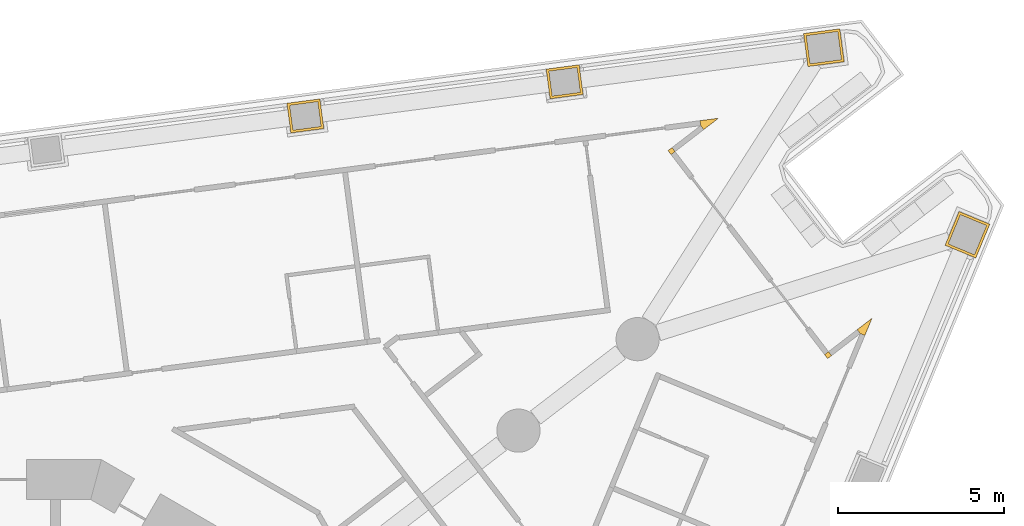
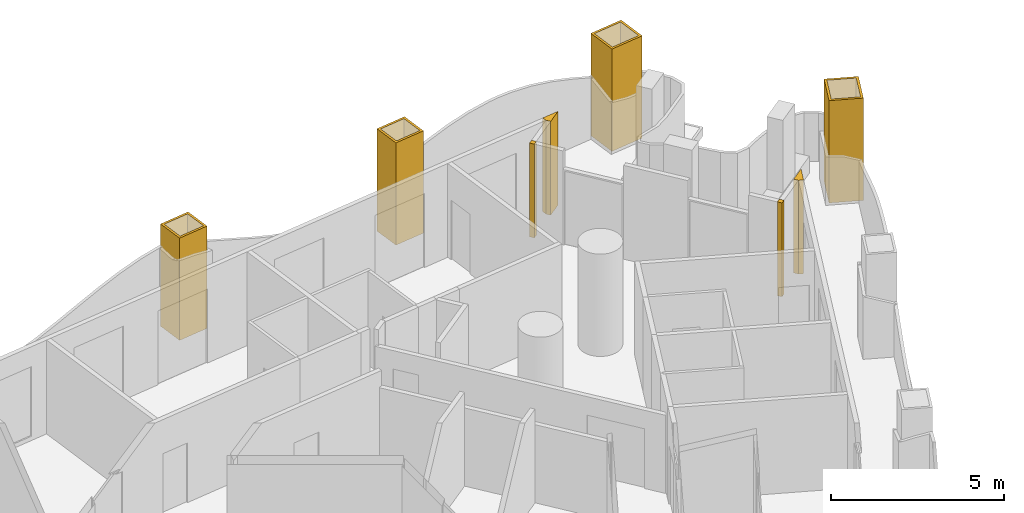
# One storey, part 18 of 19: 8 coverings.
"""IFC4 building model written with IfcOpenShell, lengths in metres."""

import ifcopenshell
import ifcopenshell.guid

model = None  # the IFC model being written
_history = None  # IfcOwnerHistory: only IFC2X3 demands one
_inside = {}  # id of a spatial element -> (the spatial element, [elements in it])
_under = {}  # id of a project, library or spatial element -> (it, [spatial elements below it])
_declared = {}  # id of a project -> (the project, [libraries it declares])
_typed = {}  # id of a type object -> (the type object, [elements of that type])
_made_of = {}  # id of a material, layer set ... -> (it, [elements and type objects made of it])


def new_model(schema):
    """Start an empty IFC model of exactly this schema.

    Asked for "IFC4X3", IfcOpenShell would pick the latest addendum, in which some entities
    have other attributes; the version numbers below select the first issue.
    IFC2X3 requires an IfcOwnerHistory on every rooted entity: one is made here for all.
    """
    global model, _history
    if schema == "IFC4X3":
        model = ifcopenshell.file(schema_version=(4, 3, 0, 0))
    else:
        model = ifcopenshell.file(schema=schema)
    _inside.clear()
    _under.clear()
    _declared.clear()
    _typed.clear()
    _made_of.clear()
    _history = None
    if model.schema == "IFC2X3":
        org = make("IfcOrganization", Name="unknown")
        user = make(
            "IfcPersonAndOrganization",
            ThePerson=make("IfcPerson", FamilyName="unknown"),
            TheOrganization=org,
        )
        app = make(
            "IfcApplication",
            ApplicationDeveloper=org,
            Version="unknown",
            ApplicationFullName="unknown",
            ApplicationIdentifier="unknown",
        )
        _history = make(
            "IfcOwnerHistory",
            OwningUser=user,
            OwningApplication=app,
            ChangeAction="ADDED",
            CreationDate=0,
        )
    return model


def make(cls, **values):
    """One entity of the class cls with the attributes given. An attribute that is None is left unset."""
    return model.create_entity(
        cls, **{name: value for name, value in values.items() if value is not None}
    )


def rooted(cls, **values):
    """An entity with a GlobalId (a new one), such as an element, a storey or a relation."""
    return make(cls, GlobalId=ifcopenshell.guid.new(), OwnerHistory=_history, **values)


def si_unit(unit_type, name, prefix=None):
    """IfcSIUnit, for example si_unit("LENGTHUNIT", "METRE", prefix="MILLI")."""
    return make("IfcSIUnit", UnitType=unit_type, Prefix=prefix, Name=name)


def assignment(units):
    """IfcUnitAssignment: the units of a project."""
    return None if units is None else make("IfcUnitAssignment", Units=units)


def point(xyz):
    """IfcCartesianPoint."""
    return None if xyz is None else make("IfcCartesianPoint", Coordinates=xyz)


def direction(xyz):
    """IfcDirection."""
    return None if xyz is None else make("IfcDirection", DirectionRatios=xyz)


def frame(location, z_axis=None, x_axis=None):
    """IfcAxis2Placement3D, a coordinate frame: its origin and axes. An axis left out is left unset."""
    return make(
        "IfcAxis2Placement3D",
        Location=point(location),
        Axis=direction(z_axis),
        RefDirection=direction(x_axis),
    )


def origin():
    """The frame at (0, 0, 0) with its axes left unset."""
    return frame((0.0, 0.0, 0.0))


def place(relative_to, where):
    """IfcLocalPlacement: puts the frame where relative to a parent placement (None: the world)."""
    return make(
        "IfcLocalPlacement", PlacementRelTo=relative_to, RelativePlacement=where
    )


def context(
    kind, dimensions, precision=None, world=None, true_north=None, identifier=None
):
    """IfcGeometricRepresentationContext, for example the 3D "Model" context."""
    return make(
        "IfcGeometricRepresentationContext",
        ContextIdentifier=identifier,
        ContextType=kind,
        CoordinateSpaceDimension=dimensions,
        Precision=precision,
        WorldCoordinateSystem=world,
        TrueNorth=true_north,
    )


def subcontext(parent, identifier, kind, view, scale=None):
    """IfcGeometricRepresentationSubContext, for example "Body" below "Model"."""
    return make(
        "IfcGeometricRepresentationSubContext",
        ContextIdentifier=identifier,
        ContextType=kind,
        ParentContext=parent,
        TargetScale=scale,
        TargetView=view,
    )


def project(units=None, contexts=None):
    """IfcProject with its units and contexts."""
    return rooted(
        "IfcProject",
        Name="project",
        RepresentationContexts=contexts,
        UnitsInContext=assignment(units),
    )


def spatial(cls, under=None, at=None, **own):
    """A site, building, storey or space (cls), placed at a placement, below another one or the project."""
    s = rooted(cls, ObjectPlacement=at, **own)
    if under is not None:
        _under.setdefault(under.id(), (under, []))[1].append(s)
    return s


def polyline(points):
    """IfcPolyline through the points."""
    return make("IfcPolyline", Points=[point(p) for p in points])


def outline(outer, holes=None, kind="AREA"):
    """IfcArbitraryClosedProfileDef: a profile drawn as a closed curve; with holes, ...WithVoids."""
    if holes is None:
        return make("IfcArbitraryClosedProfileDef", ProfileType=kind, OuterCurve=outer)
    return make(
        "IfcArbitraryProfileDefWithVoids",
        ProfileType=kind,
        OuterCurve=outer,
        InnerCurves=holes,
    )


def extrude(swept, where, along, depth):
    """IfcExtrudedAreaSolid: the profile swept, set in the frame where, extruded along a direction by depth."""
    return make(
        "IfcExtrudedAreaSolid",
        SweptArea=swept,
        Position=where,
        ExtrudedDirection=direction(along),
        Depth=depth,
    )


def shape(context_of_items, identifier, shape_type, items):
    """IfcShapeRepresentation: the items that make up one representation, for example the "Body"."""
    return make(
        "IfcShapeRepresentation",
        ContextOfItems=context_of_items,
        RepresentationIdentifier=identifier,
        RepresentationType=shape_type,
        Items=items,
    )


def material(Name=None, Category=None):
    """IfcMaterial."""
    return make("IfcMaterial", Name=Name, Category=Category)


def layer(
    of_material, thickness, ventilated=None, Name=None, Category=None, Priority=None
):
    """IfcMaterialLayer: one layer of a wall or slab, of a material (None: an air gap)."""
    return make(
        "IfcMaterialLayer",
        Material=of_material,
        LayerThickness=thickness,
        IsVentilated=ventilated,
        Name=Name,
        Category=Category,
        Priority=Priority,
    )


def layer_set(layers, Name=None):
    """IfcMaterialLayerSet."""
    return make("IfcMaterialLayerSet", MaterialLayers=layers, LayerSetName=Name)


def made_of(thing, what):
    """Note that an element or type object is made of a material, layer set ...; save() writes the relation."""
    if what is not None:
        _made_of.setdefault(what.id(), (what, []))[1].append(thing)
    return thing


def type_object(cls, material=None, **own):
    """A type object (cls), such as IfcWallType, which elements share."""
    return made_of(rooted(cls, **own), material)


def element(
    cls,
    number,
    at=None,
    inside=None,
    cuts=None,
    type_object=None,
    material=None,
    context=None,
    identifier="Body",
    shape_type=None,
    held_by="IfcProductDefinitionShape",
    body=None,
    shapes=None,
    **own,
):
    """One element of the class cls, such as IfcWall. Its Tag is "e" and its number.

    at: its placement. inside: the storey or other place that contains it. cuts: it is an
    opening in that element (IfcRelVoidsElement). A single representation is given by context,
    identifier, shape_type and body (its items); several are given by shapes. held_by: the class
    of the entity that holds the representations. save() writes the other relations.
    """
    e = rooted(cls, Tag="e%d" % number, ObjectPlacement=at, **own)
    if body is not None:
        shapes = [shape(context, identifier, shape_type, body)]
    if shapes is not None:
        e.Representation = make(held_by, Representations=shapes)
    if inside is not None:
        _inside.setdefault(inside.id(), (inside, []))[1].append(e)
    if cuts is not None:
        rooted(
            "IfcRelVoidsElement", RelatingBuildingElement=cuts, RelatedOpeningElement=e
        )
    if type_object is not None:
        _typed.setdefault(type_object.id(), (type_object, []))[1].append(e)
    return made_of(e, material)


def aggregate(whole, parts):
    """IfcRelAggregates: a whole, such as a stair, and the parts it consists of."""
    return rooted("IfcRelAggregates", RelatingObject=whole, RelatedObjects=parts)


def save(model, path):
    """Write the relations noted so far, then the file.

    IfcRelAggregates (storeys below a building ...), IfcRelContainedInSpatialStructure (elements
    in a storey), IfcRelDefinesByType, IfcRelAssociatesMaterial and IfcRelDeclares: one each for
    every whole, place, type object, material and project.
    """
    for whole, parts in _under.values():
        aggregate(whole, parts)
    for where, things in _inside.values():
        rooted(
            "IfcRelContainedInSpatialStructure",
            RelatedElements=things,
            RelatingStructure=where,
        )
    for kind, things in _typed.values():
        rooted("IfcRelDefinesByType", RelatedObjects=things, RelatingType=kind)
    for what, things in _made_of.values():
        rooted("IfcRelAssociatesMaterial", RelatedObjects=things, RelatingMaterial=what)
    for by, libraries in _declared.values():
        rooted("IfcRelDeclares", RelatingContext=by, RelatedDefinitions=libraries)
    model.write(path)


model = new_model("IFC4")

# Units and contexts
model_context = context("Model", 3, precision=1e-05, world=origin(), true_north=direction((0.0, 1.0)))
body_context = subcontext(model_context, "Body", "Model", "MODEL_VIEW")
ifc_project = project(units=[si_unit("LENGTHUNIT", "METRE"), si_unit("AREAUNIT", "SQUARE_METRE"), si_unit("VOLUMEUNIT", "CUBIC_METRE"), si_unit("PLANEANGLEUNIT", "RADIAN"), si_unit("MASSUNIT", "GRAM", prefix="KILO")], contexts=[model_context])

# Site, building, storey
site_placement = place(None, origin())
site = spatial("IfcSite", under=ifc_project, at=site_placement, CompositionType="ELEMENT")
building_placement = place(site_placement, origin())
building = spatial("IfcBuilding", under=site, at=building_placement, Name="Trine Commons Tower", CompositionType="ELEMENT")
storey_placement = place(building_placement, frame((0.0, 0.0, 64.800048828125)))
storey = spatial("IfcBuildingStorey", under=building, at=storey_placement, Name="L15", CompositionType="ELEMENT", Elevation=64.800048828125)

# Coverings
ifc_material_1 = material(Name="Aluminium-framed insulated wall panel", Category="aluminium")
ifc_layer_1 = layer(ifc_material_1, 0.14990234375)
ifc_layer_set_1 = layer_set([ifc_layer_1], Name="Aluminium-framed insulated wall panel")
covering_type_1 = type_object("IfcCoveringType", Name="Glazing corner post, aluminium", PredefinedType="CLADDING", material=ifc_layer_set_1)
covering_1_placement = place(storey_placement, origin())
element("IfcCovering", 1, at=covering_1_placement, inside=storey, type_object=covering_type_1, Name="Glazing corner post 2-05", PredefinedType="CLADDING", context=body_context, shape_type="SweptSolid", body=[
    extrude(outline(polyline([(101.056396484375, 83.434326171875), (101.50048828125, 83.775146484375), (100.945556640625, 83.7021484375), (100.965087890625, 83.553466796875), (101.056396484375, 83.434326171875)])), origin(), (0.0, 0.0, 1.0), 3.300048828125),
])
covering_2_placement = place(storey_placement, origin())
element("IfcCovering", 2, at=covering_2_placement, inside=storey, type_object=covering_type_1, Name="Glazing corner post 2-06", PredefinedType="CLADDING", context=body_context, shape_type="SweptSolid", body=[
    extrude(outline(polyline([(100.076171875, 82.68212890625), (100.195068359375, 82.7734375), (100.103759765625, 82.892333984375), (99.98486328125, 82.801025390625), (100.076171875, 82.68212890625)])), origin(), (0.0, 0.0, 1.0), 3.300048828125),
])
covering_3_placement = place(storey_placement, origin())
element("IfcCovering", 3, at=covering_3_placement, inside=storey, type_object=covering_type_1, Name="Glazing corner post 2-07", PredefinedType="CLADDING", context=body_context, shape_type="SweptSolid", body=[
    extrude(outline(polyline([(104.6904296875, 76.66845703125), (104.78173828125, 76.549560546875), (104.90087890625, 76.640869140625), (104.8095703125, 76.759765625), (104.6904296875, 76.66845703125)])), origin(), (0.0, 0.0, 1.0), 3.300048828125),
])
covering_4_placement = place(storey_placement, origin())
element("IfcCovering", 4, at=covering_4_placement, inside=storey, type_object=covering_type_1, Name="Glazing corner post 2-08", PredefinedType="CLADDING", context=body_context, shape_type="SweptSolid", body=[
    extrude(outline(polyline([(105.90087890625, 77.244384765625), (106.114990234375, 77.761474609375), (105.6708984375, 77.4208984375), (105.76220703125, 77.3017578125), (105.90087890625, 77.244384765625)])), origin(), (0.0, 0.0, 1.0), 3.300048828125),
])
ifc_material_2 = material(Name="Limestone, honed", Category="masonry")
ifc_layer_2 = layer(ifc_material_2, 0.074951171875)
ifc_layer_set_2 = layer_set([ifc_layer_2], Name="Limestone, honed")
covering_type_2 = type_object("IfcCoveringType", Name="Limestone column cladding 75", PredefinedType="CLADDING", material=ifc_layer_set_2)
covering_5_placement = place(storey_placement, origin())
element("IfcCovering", 5, at=covering_5_placement, inside=storey, type_object=covering_type_2, Name="Limestone pier cladding 2-14", PredefinedType="CLADDING", context=body_context, shape_type="SweptSolid", body=[
    extrude(outline(polyline([(89.636962890625, 83.464111328125), (89.519287109375, 84.356201171875), (88.52783203125, 84.225830078125), (88.6455078125, 83.33349609375), (89.636962890625, 83.464111328125)]), holes=[polyline([(89.552734375, 83.528564453125), (89.454833984375, 84.272216796875), (88.612060546875, 84.1611328125), (88.7099609375, 83.41748046875), (89.552734375, 83.528564453125)])]), origin(), (0.0, 0.0, 1.0), 3.599853515625),
])
covering_6_placement = place(storey_placement, origin())
element("IfcCovering", 6, at=covering_6_placement, inside=storey, type_object=covering_type_2, Name="Limestone pier cladding 2-15", PredefinedType="CLADDING", context=body_context, shape_type="SweptSolid", body=[
    extrude(outline(polyline([(97.43017578125, 84.489990234375), (97.312744140625, 85.38232421875), (96.3212890625, 85.251708984375), (96.438720703125, 84.359619140625), (97.43017578125, 84.489990234375)]), holes=[polyline([(97.345947265625, 84.5546875), (97.248046875, 85.298095703125), (96.405517578125, 85.187255859375), (96.50341796875, 84.443603515625), (97.345947265625, 84.5546875)])]), origin(), (0.0, 0.0, 1.0), 3.599853515625),
])
covering_7_placement = place(storey_placement, origin())
element("IfcCovering", 7, at=covering_7_placement, inside=storey, type_object=covering_type_2, Name="Limestone pier cladding 2-16", PredefinedType="CLADDING", context=body_context, shape_type="SweptSolid", body=[
    extrude(outline(polyline([(105.279541015625, 85.472900390625), (105.14892578125, 86.46435546875), (104.058349609375, 86.32080078125), (104.18896484375, 85.329345703125), (105.279541015625, 85.472900390625)]), holes=[polyline([(105.1953125, 85.53759765625), (105.08447265625, 86.38037109375), (104.142578125, 86.25634765625), (104.25341796875, 85.41357421875), (105.1953125, 85.53759765625)])]), origin(), (0.0, 0.0, 1.0), 3.599853515625),
])
covering_8_placement = place(storey_placement, origin())
element("IfcCovering", 8, at=covering_8_placement, inside=storey, type_object=covering_type_2, Name="Limestone pier cladding 2-17", PredefinedType="CLADDING", context=body_context, shape_type="SweptSolid", body=[
    extrude(outline(polyline([(109.65673828125, 80.589599609375), (108.73291015625, 80.972412109375), (108.31201171875, 79.9560546875), (109.23583984375, 79.5732421875), (109.65673828125, 80.589599609375)]), holes=[polyline([(109.558837890625, 80.549072265625), (108.7734375, 80.874267578125), (108.409912109375, 79.99658203125), (109.1953125, 79.67138671875), (109.558837890625, 80.549072265625)])]), origin(), (0.0, 0.0, 1.0), 3.599853515625),
])

save(model, "model.ifc")
